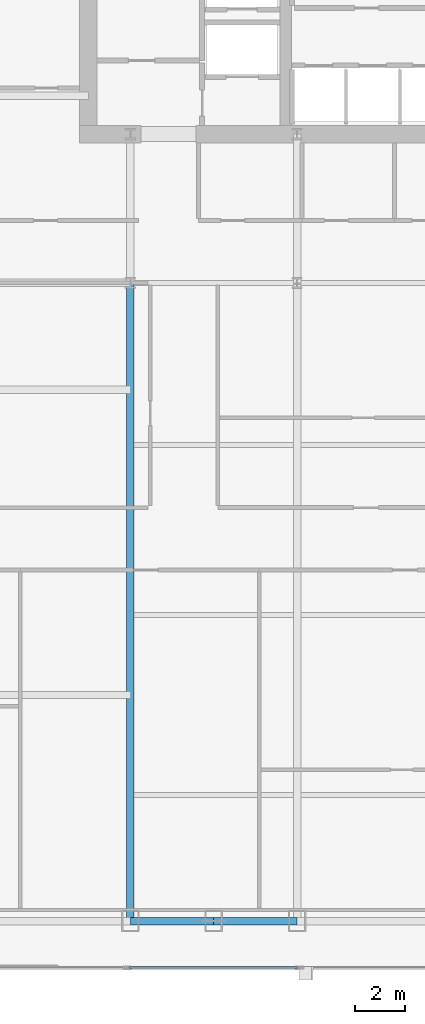
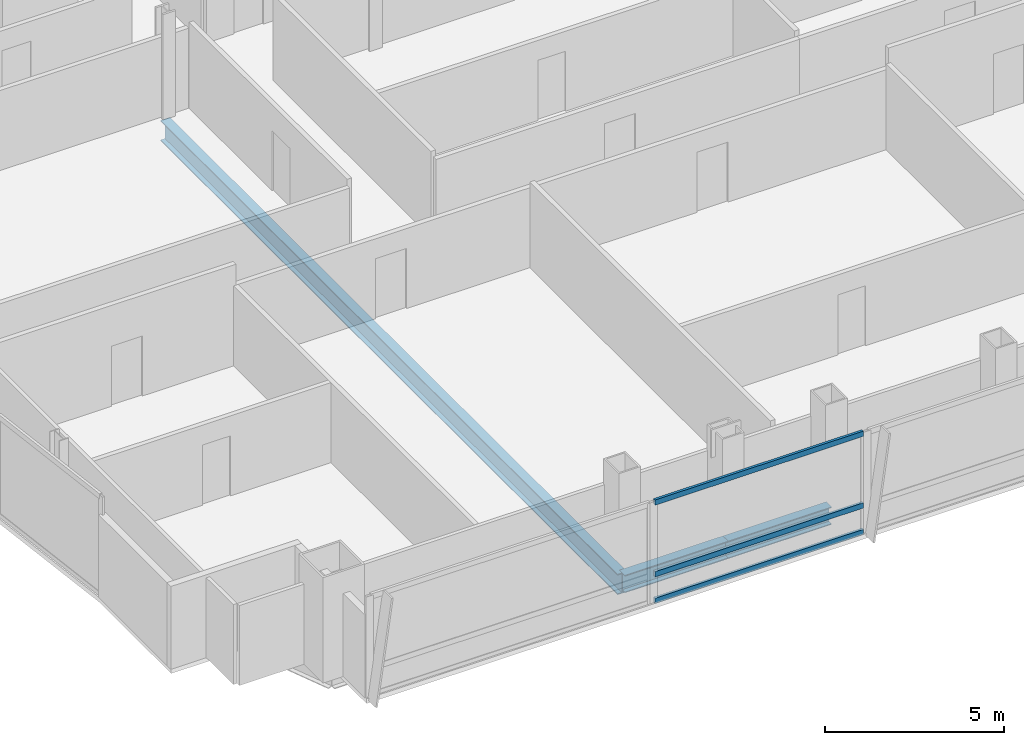
# One storey, part 7 of 29: 3 beams, 3 members, 1 element without a shape of its own.
"""IFC4 building model written with IfcOpenShell, lengths in metres."""

from ifc_helpers import new_model, si_unit, direction, frame, origin, origin_2d, place, context, subcontext, project, spatial, hollow_rectangle, i_section, extrude, material, material_profile, profile_set, type_object, element, aggregate, save


model = new_model("IFC4")

# Units and contexts
model_context = context("Model", 3, precision=1e-05, world=origin(), true_north=direction((0.0, 1.0)))
body_context = subcontext(model_context, "Body", "Model", "MODEL_VIEW")
ifc_project = project(units=[si_unit("LENGTHUNIT", "METRE"), si_unit("AREAUNIT", "SQUARE_METRE"), si_unit("VOLUMEUNIT", "CUBIC_METRE"), si_unit("PLANEANGLEUNIT", "RADIAN"), si_unit("MASSUNIT", "GRAM", prefix="KILO")], contexts=[model_context])

# Site, building, storey
site_placement = place(None, origin())
site = spatial("IfcSite", under=ifc_project, at=site_placement, CompositionType="ELEMENT")
building_placement = place(site_placement, origin())
building = spatial("IfcBuilding", under=site, at=building_placement, Name="Khoronbel Lancet Exchange", CompositionType="ELEMENT")
storey_placement = place(building_placement, frame((0.0, 0.0, 143.39990234375)))
storey = spatial("IfcBuildingStorey", under=building, at=storey_placement, Name="L35", CompositionType="ELEMENT", Elevation=143.39990234375)

# Beams
ifc_material_1 = material(Name="Steel S355", Category="steel")
ifc_material_profile_1 = material_profile(ifc_material_1, i_section(OverallWidth=0.300048828125, OverallDepth=0.699951171875, WebThickness=0.01708984375, FlangeThickness=0.031982421875, at=origin_2d()), Name="HEB 700")
ifc_profile_set_1 = profile_set([ifc_material_profile_1], Name="Steel S355")
beam_type_1 = type_object("IfcBeamType", Name="BM-BG3", PredefinedType="BEAM", material=ifc_profile_set_1)
beam_placement = place(storey_placement, frame((18.22509765625, 10.14990234375, -0.510009765625), z_axis=(0.0, 1.0, 0.0), x_axis=(-1.0, 0.0, 0.0)))
element("IfcBeam", 1, at=beam_placement, inside=storey, type_object=beam_type_1, Name="Level L35 south primary girder GS1", PredefinedType="BEAM", context=body_context, shape_type="SweptSolid", body=[
    extrude(i_section(OverallWidth=0.300048828125, OverallDepth=0.699951171875, WebThickness=0.01708984375, FlangeThickness=0.031982421875, at=origin_2d()), origin(), (0.0, 0.0, 1.0), 25.550048828125),
])
ifc_material_profile_2 = material_profile(ifc_material_1, i_section(OverallWidth=0.300048828125, OverallDepth=0.60009765625, WebThickness=0.015380859375, FlangeThickness=0.030029296875, at=origin_2d()), Name="HEB 600")
ifc_profile_set_2 = profile_set([ifc_material_profile_2], Name="Steel S355")
beam_type_2 = type_object("IfcBeamType", Name="BM-BSP2", PredefinedType="SPANDREL", material=ifc_profile_set_2)
for number, where, z_axis, x_axis, name in (
    (2, (18.22509765625, 10.14990234375, -0.4599609375), (1.0, 0.0, 0.0), (0.0, 1.0, 0.0), "Level L35 perimeter spandrel beam SP02"),
    (3, (21.5625, 10.14990234375, -0.4599609375), (1.0, 0.0, 0.0), (0.0, 1.0, 0.0), "Level L35 perimeter spandrel beam SP03"),
):
    element("IfcBeam", number, at=place(storey_placement, frame(where, z_axis=z_axis, x_axis=x_axis)), inside=storey, type_object=beam_type_2, Name=name, PredefinedType="SPANDREL", context=body_context, shape_type="SweptSolid", body=[
        extrude(i_section(OverallWidth=0.300048828125, OverallDepth=0.60009765625, WebThickness=0.015380859375, FlangeThickness=0.030029296875, at=origin_2d()), origin(), (0.0, 0.0, 1.0), 3.33740234375),
    ])

# Curtain wall, members
ifc_material_2 = material(Name="Low-E Solar Control Insulating Glass", Category="glass")
curtain_wall_type = type_object("IfcCurtainWallType", Name="CW-3", PredefinedType="NOTDEFINED", material=ifc_material_2)
curtain_wall_placement = place(storey_placement, origin())
curtain_wall = element("IfcCurtainWall", 4, at=curtain_wall_placement, inside=storey, type_object=curtain_wall_type, Name="Unitised curtain wall CW-L35-SWB", PredefinedType="NOTDEFINED")
ifc_material_3 = material(Name="Bronze-Anodised Aluminium 6063-T6", Category="aluminium")
ifc_material_profile_3 = material_profile(ifc_material_3, hollow_rectangle(XDim=0.0849609375, YDim=0.179931640625, WallThickness=0.0048828125, at=origin_2d()), Name="ALU TRANSOM 85x180")
ifc_profile_set_3 = profile_set([ifc_material_profile_3], Name="Bronze-Anodised Aluminium 6063-T6")
member_type = type_object("IfcMemberType", Name="MEM-CWT1", PredefinedType="USERDEFINED", material=ifc_profile_set_3)
member_1_placement = place(storey_placement, frame((18.18505859375, 8.2900390625, 0.04248046875), z_axis=(1.0, 0.0, 0.0), x_axis=(0.0, 1.0, 0.0)))
member_1 = element("IfcMember", 5, at=member_1_placement, type_object=member_type, Name="CW3 transom 1.1", ObjectType="TRANSOM", PredefinedType="USERDEFINED", context=body_context, shape_type="SweptSolid", body=[
    extrude(hollow_rectangle(XDim=0.0849609375, YDim=0.179931640625, WallThickness=0.0048828125, at=origin_2d()), origin(), (0.0, 0.0, 1.0), 6.72998046875),
])
member_2_placement = place(storey_placement, frame((18.18505859375, 8.2900390625, 0.9501953125), z_axis=(1.0, 0.0, 0.0), x_axis=(0.0, 1.0, 0.0)))
member_2 = element("IfcMember", 6, at=member_2_placement, type_object=member_type, Name="CW3 transom 1.2", ObjectType="TRANSOM", PredefinedType="USERDEFINED", context=body_context, shape_type="SweptSolid", body=[
    extrude(hollow_rectangle(XDim=0.0849609375, YDim=0.179931640625, WallThickness=0.0048828125, at=origin_2d()), origin(), (0.0, 0.0, 1.0), 6.72998046875),
])
member_3_placement = place(storey_placement, frame((18.18505859375, 8.2900390625, 3.397705078125), z_axis=(1.0, 0.0, 0.0), x_axis=(0.0, 1.0, 0.0)))
member_3 = element("IfcMember", 7, at=member_3_placement, type_object=member_type, Name="CW3 transom 1.3", ObjectType="TRANSOM", PredefinedType="USERDEFINED", context=body_context, shape_type="SweptSolid", body=[
    extrude(hollow_rectangle(XDim=0.0849609375, YDim=0.179931640625, WallThickness=0.0048828125, at=origin_2d()), origin(), (0.0, 0.0, 1.0), 6.72998046875),
])
aggregate(curtain_wall, [member_1, member_2, member_3])

save(model, "model.ifc")
